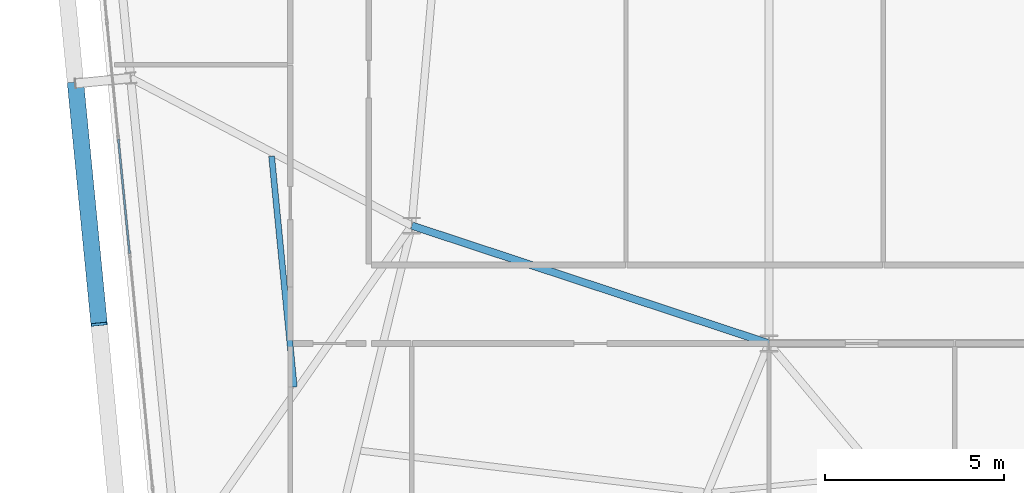
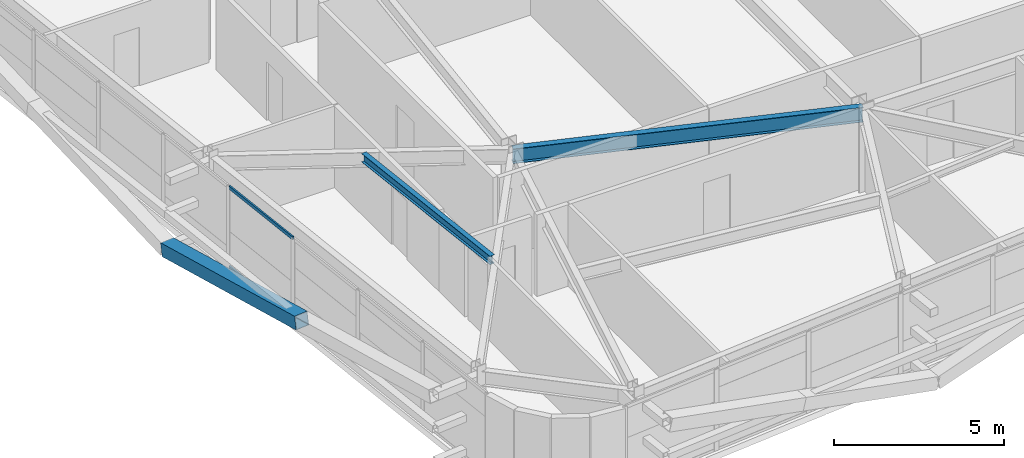
# One storey, part 9 of 52: 3 members, 2 beams, 1 element without a shape of its own.
"""IFC4 building model written with IfcOpenShell, lengths in metres."""

import ifcopenshell
import ifcopenshell.guid

model = None  # the IFC model being written
_history = None  # IfcOwnerHistory: only IFC2X3 demands one
_inside = {}  # id of a spatial element -> (the spatial element, [elements in it])
_under = {}  # id of a project, library or spatial element -> (it, [spatial elements below it])
_declared = {}  # id of a project -> (the project, [libraries it declares])
_typed = {}  # id of a type object -> (the type object, [elements of that type])
_made_of = {}  # id of a material, layer set ... -> (it, [elements and type objects made of it])


def new_model(schema):
    """Start an empty IFC model of exactly this schema.

    Asked for "IFC4X3", IfcOpenShell would pick the latest addendum, in which some entities
    have other attributes; the version numbers below select the first issue.
    IFC2X3 requires an IfcOwnerHistory on every rooted entity: one is made here for all.
    """
    global model, _history
    if schema == "IFC4X3":
        model = ifcopenshell.file(schema_version=(4, 3, 0, 0))
    else:
        model = ifcopenshell.file(schema=schema)
    _inside.clear()
    _under.clear()
    _declared.clear()
    _typed.clear()
    _made_of.clear()
    _history = None
    if model.schema == "IFC2X3":
        org = make("IfcOrganization", Name="unknown")
        user = make(
            "IfcPersonAndOrganization",
            ThePerson=make("IfcPerson", FamilyName="unknown"),
            TheOrganization=org,
        )
        app = make(
            "IfcApplication",
            ApplicationDeveloper=org,
            Version="unknown",
            ApplicationFullName="unknown",
            ApplicationIdentifier="unknown",
        )
        _history = make(
            "IfcOwnerHistory",
            OwningUser=user,
            OwningApplication=app,
            ChangeAction="ADDED",
            CreationDate=0,
        )
    return model


def make(cls, **values):
    """One entity of the class cls with the attributes given. An attribute that is None is left unset."""
    return model.create_entity(
        cls, **{name: value for name, value in values.items() if value is not None}
    )


def rooted(cls, **values):
    """An entity with a GlobalId (a new one), such as an element, a storey or a relation."""
    return make(cls, GlobalId=ifcopenshell.guid.new(), OwnerHistory=_history, **values)


def si_unit(unit_type, name, prefix=None):
    """IfcSIUnit, for example si_unit("LENGTHUNIT", "METRE", prefix="MILLI")."""
    return make("IfcSIUnit", UnitType=unit_type, Prefix=prefix, Name=name)


def assignment(units):
    """IfcUnitAssignment: the units of a project."""
    return None if units is None else make("IfcUnitAssignment", Units=units)


def point(xyz):
    """IfcCartesianPoint."""
    return None if xyz is None else make("IfcCartesianPoint", Coordinates=xyz)


def direction(xyz):
    """IfcDirection."""
    return None if xyz is None else make("IfcDirection", DirectionRatios=xyz)


def frame(location, z_axis=None, x_axis=None):
    """IfcAxis2Placement3D, a coordinate frame: its origin and axes. An axis left out is left unset."""
    return make(
        "IfcAxis2Placement3D",
        Location=point(location),
        Axis=direction(z_axis),
        RefDirection=direction(x_axis),
    )


def frame_2d(location, x_axis=None):
    """IfcAxis2Placement2D, a coordinate frame in the plane: its origin and x axis."""
    return make(
        "IfcAxis2Placement2D", Location=point(location), RefDirection=direction(x_axis)
    )


def origin():
    """The frame at (0, 0, 0) with its axes left unset."""
    return frame((0.0, 0.0, 0.0))


def origin_2d():
    """The frame at (0, 0) in the plane with its x axis left unset."""
    return frame_2d((0.0, 0.0))


def place(relative_to, where):
    """IfcLocalPlacement: puts the frame where relative to a parent placement (None: the world)."""
    return make(
        "IfcLocalPlacement", PlacementRelTo=relative_to, RelativePlacement=where
    )


def context(
    kind, dimensions, precision=None, world=None, true_north=None, identifier=None
):
    """IfcGeometricRepresentationContext, for example the 3D "Model" context."""
    return make(
        "IfcGeometricRepresentationContext",
        ContextIdentifier=identifier,
        ContextType=kind,
        CoordinateSpaceDimension=dimensions,
        Precision=precision,
        WorldCoordinateSystem=world,
        TrueNorth=true_north,
    )


def subcontext(parent, identifier, kind, view, scale=None):
    """IfcGeometricRepresentationSubContext, for example "Body" below "Model"."""
    return make(
        "IfcGeometricRepresentationSubContext",
        ContextIdentifier=identifier,
        ContextType=kind,
        ParentContext=parent,
        TargetScale=scale,
        TargetView=view,
    )


def project(units=None, contexts=None):
    """IfcProject with its units and contexts."""
    return rooted(
        "IfcProject",
        Name="project",
        RepresentationContexts=contexts,
        UnitsInContext=assignment(units),
    )


def spatial(cls, under=None, at=None, **own):
    """A site, building, storey or space (cls), placed at a placement, below another one or the project."""
    s = rooted(cls, ObjectPlacement=at, **own)
    if under is not None:
        _under.setdefault(under.id(), (under, []))[1].append(s)
    return s


def profile(cls, at=None, kind="AREA", **sizes):
    """A parametric profile (cls). Its sizes go by their IFC names, for example OverallWidth=200.0."""
    return make(cls, ProfileType=kind, Position=at, **sizes)


def hollow_rectangle(**sizes):
    """IfcRectangleHollowProfileDef."""
    return profile("IfcRectangleHollowProfileDef", **sizes)


def i_section(**sizes):
    """IfcIShapeProfileDef."""
    return profile("IfcIShapeProfileDef", **sizes)


def extrude(swept, where, along, depth):
    """IfcExtrudedAreaSolid: the profile swept, set in the frame where, extruded along a direction by depth."""
    return make(
        "IfcExtrudedAreaSolid",
        SweptArea=swept,
        Position=where,
        ExtrudedDirection=direction(along),
        Depth=depth,
    )


def shape(context_of_items, identifier, shape_type, items):
    """IfcShapeRepresentation: the items that make up one representation, for example the "Body"."""
    return make(
        "IfcShapeRepresentation",
        ContextOfItems=context_of_items,
        RepresentationIdentifier=identifier,
        RepresentationType=shape_type,
        Items=items,
    )


def source(mapping_origin, context_of_items, identifier, shape_type, items):
    """IfcRepresentationMap: a shape defined once, which mapped items show again and again."""
    return make(
        "IfcRepresentationMap",
        MappingOrigin=mapping_origin,
        MappedRepresentation=shape(context_of_items, identifier, shape_type, items),
    )


def transform(
    local_origin,
    x_axis=None,
    y_axis=None,
    z_axis=None,
    scale=None,
    scale2=None,
    scale3=None,
    uniform=True,
):
    """IfcCartesianTransformationOperator3D, or its non-uniform kind. x_axis, y_axis, z_axis: its Axis1, 2, 3."""
    if uniform:
        return make(
            "IfcCartesianTransformationOperator3D",
            Axis1=direction(x_axis),
            Axis2=direction(y_axis),
            LocalOrigin=point(local_origin),
            Scale=scale,
            Axis3=direction(z_axis),
        )
    return make(
        "IfcCartesianTransformationOperator3DnonUniform",
        Axis1=direction(x_axis),
        Axis2=direction(y_axis),
        LocalOrigin=point(local_origin),
        Scale=scale,
        Axis3=direction(z_axis),
        Scale2=scale2,
        Scale3=scale3,
    )


def mapped(mapping_source, mapping_target):
    """IfcMappedItem: shows the shape of a source again, moved by a transform."""
    return make(
        "IfcMappedItem", MappingSource=mapping_source, MappingTarget=mapping_target
    )


def material(Name=None, Category=None):
    """IfcMaterial."""
    return make("IfcMaterial", Name=Name, Category=Category)


def layer(
    of_material, thickness, ventilated=None, Name=None, Category=None, Priority=None
):
    """IfcMaterialLayer: one layer of a wall or slab, of a material (None: an air gap)."""
    return make(
        "IfcMaterialLayer",
        Material=of_material,
        LayerThickness=thickness,
        IsVentilated=ventilated,
        Name=Name,
        Category=Category,
        Priority=Priority,
    )


def layer_set(layers, Name=None):
    """IfcMaterialLayerSet."""
    return make("IfcMaterialLayerSet", MaterialLayers=layers, LayerSetName=Name)


def material_profile(
    of_material, cross_section, Name=None, Category=None, Priority=None
):
    """IfcMaterialProfile: a cross section and its material."""
    return make(
        "IfcMaterialProfile",
        Name=Name,
        Material=of_material,
        Profile=cross_section,
        Priority=Priority,
        Category=Category,
    )


def profile_set(profiles, Name=None, composite=None):
    """IfcMaterialProfileSet."""
    return make(
        "IfcMaterialProfileSet",
        Name=Name,
        MaterialProfiles=profiles,
        CompositeProfile=composite,
    )


def made_of(thing, what):
    """Note that an element or type object is made of a material, layer set ...; save() writes the relation."""
    if what is not None:
        _made_of.setdefault(what.id(), (what, []))[1].append(thing)
    return thing


def type_object(cls, material=None, **own):
    """A type object (cls), such as IfcWallType, which elements share."""
    return made_of(rooted(cls, **own), material)


def element(
    cls,
    number,
    at=None,
    inside=None,
    cuts=None,
    type_object=None,
    material=None,
    context=None,
    identifier="Body",
    shape_type=None,
    held_by="IfcProductDefinitionShape",
    body=None,
    shapes=None,
    **own,
):
    """One element of the class cls, such as IfcWall. Its Tag is "e" and its number.

    at: its placement. inside: the storey or other place that contains it. cuts: it is an
    opening in that element (IfcRelVoidsElement). A single representation is given by context,
    identifier, shape_type and body (its items); several are given by shapes. held_by: the class
    of the entity that holds the representations. save() writes the other relations.
    """
    e = rooted(cls, Tag="e%d" % number, ObjectPlacement=at, **own)
    if body is not None:
        shapes = [shape(context, identifier, shape_type, body)]
    if shapes is not None:
        e.Representation = make(held_by, Representations=shapes)
    if inside is not None:
        _inside.setdefault(inside.id(), (inside, []))[1].append(e)
    if cuts is not None:
        rooted(
            "IfcRelVoidsElement", RelatingBuildingElement=cuts, RelatedOpeningElement=e
        )
    if type_object is not None:
        _typed.setdefault(type_object.id(), (type_object, []))[1].append(e)
    return made_of(e, material)


def aggregate(whole, parts):
    """IfcRelAggregates: a whole, such as a stair, and the parts it consists of."""
    return rooted("IfcRelAggregates", RelatingObject=whole, RelatedObjects=parts)


def save(model, path):
    """Write the relations noted so far, then the file.

    IfcRelAggregates (storeys below a building ...), IfcRelContainedInSpatialStructure (elements
    in a storey), IfcRelDefinesByType, IfcRelAssociatesMaterial and IfcRelDeclares: one each for
    every whole, place, type object, material and project.
    """
    for whole, parts in _under.values():
        aggregate(whole, parts)
    for where, things in _inside.values():
        rooted(
            "IfcRelContainedInSpatialStructure",
            RelatedElements=things,
            RelatingStructure=where,
        )
    for kind, things in _typed.values():
        rooted("IfcRelDefinesByType", RelatedObjects=things, RelatingType=kind)
    for what, things in _made_of.values():
        rooted("IfcRelAssociatesMaterial", RelatedObjects=things, RelatingMaterial=what)
    for by, libraries in _declared.values():
        rooted("IfcRelDeclares", RelatingContext=by, RelatedDefinitions=libraries)
    model.write(path)


model = new_model("IFC4")

# Units and contexts
model_context = context("Model", 3, precision=1e-05, world=origin(), true_north=direction((0.0, 1.0)))
body_context = subcontext(model_context, "Body", "Model", "MODEL_VIEW")
ifc_project = project(units=[si_unit("LENGTHUNIT", "METRE"), si_unit("AREAUNIT", "SQUARE_METRE"), si_unit("VOLUMEUNIT", "CUBIC_METRE"), si_unit("PLANEANGLEUNIT", "RADIAN"), si_unit("MASSUNIT", "GRAM", prefix="KILO")], contexts=[model_context])

# Site, building, storey
site_placement = place(None, origin())
site = spatial("IfcSite", under=ifc_project, at=site_placement, CompositionType="ELEMENT")
building_placement = place(site_placement, origin())
building = spatial("IfcBuilding", under=site, at=building_placement, Name="Taldren Reach Tower", CompositionType="ELEMENT")
storey_placement = place(building_placement, frame((0.0, 0.0, 96.60009765625)))
storey = spatial("IfcBuildingStorey", under=building, at=storey_placement, Name="L29", CompositionType="ELEMENT", Elevation=96.60009765625)

# Beams
ifc_material_1 = material(Name="Steel Gr 350 (350PLUS)", Category="steel")
ifc_material_profile_1 = material_profile(ifc_material_1, i_section(OverallWidth=0.208984375, OverallDepth=0.532958984375, WebThickness=0.01025390625, FlangeThickness=0.015625, at=origin_2d()), Name="530UB92.4")
ifc_profile_set_1 = profile_set([ifc_material_profile_1], Name="Steel Gr 350 (350PLUS)")
beam_type_1 = type_object("IfcBeamType", Name="BM-UB530A", PredefinedType="BEAM", material=ifc_profile_set_1)
shared_shape_1 = source(origin(), body_context, "Body", "SweptSolid", [
    extrude(i_section(OverallWidth=0.208984375, OverallDepth=0.532958984375, WebThickness=0.01025390625, FlangeThickness=0.015625, at=origin_2d()), origin(), (0.0, 0.0, 1.0), 10.530517578125),
])
beam_1_placement = place(storey_placement, frame((18.0, 12.5, 2.663330078125), z_axis=(0.949627269203, -0.313381635689, 0.0), x_axis=(0.313381635689, 0.949627269203, 0.0)))
element("IfcBeam", 1, at=beam_1_placement, inside=storey, type_object=beam_type_1, Name="Core-spine girder L29-SP10", PredefinedType="BEAM", context=body_context, shape_type="MappedRepresentation", body=[
    mapped(shared_shape_1, transform((0.0, 0.0, 0.0), scale=1.0)),
])
ifc_material_2 = material(Name="Steel Gr 300 (300PLUS, 300 MPa)", Category="steel")
ifc_material_profile_2 = material_profile(ifc_material_2, i_section(OverallWidth=0.166015625, OverallDepth=0.306884765625, WebThickness=0.006591796875, FlangeThickness=0.01171875, at=origin_2d()), Name="310UB46.2")
ifc_profile_set_2 = profile_set([ifc_material_profile_2], Name="Steel Gr 300 (300PLUS, 300 MPa)")
beam_type_2 = type_object("IfcBeamType", Name="JS-UB310", PredefinedType="JOIST", material=ifc_profile_set_2)
shared_shape_2 = source(origin(), body_context, "Body", "SweptSolid", [
    extrude(i_section(OverallWidth=0.166015625, OverallDepth=0.306884765625, WebThickness=0.006591796875, FlangeThickness=0.01171875, at=origin_2d()), origin(), (0.0, 0.0, 1.0), 6.489501953125),
])
beam_2_placement = place(storey_placement, frame((14.710693359375, 7.982666015625, 2.7763671875), z_axis=(-0.097588959486, 0.995226805802, 0.0), x_axis=(-0.995226805802, -0.097588959486, 0.0)))
element("IfcBeam", 2, at=beam_2_placement, inside=storey, type_object=beam_type_2, Name="Secondary floor joist B2 J6 L29", PredefinedType="JOIST", context=body_context, shape_type="MappedRepresentation", body=[
    mapped(shared_shape_2, transform((0.0, 0.0, 0.0), scale=1.0)),
])

# Member
ifc_material_3 = material(Name="Steel Gr 450 (C450L0)", Category="steel")
ifc_material_profile_3 = material_profile(ifc_material_3, hollow_rectangle(XDim=0.4599609375, YDim=0.4599609375, WallThickness=0.01611328125, at=origin_2d()), Name="460x460x16.0SHS")
ifc_profile_set_3 = profile_set([ifc_material_profile_3], Name="Steel Gr 450 (C450L0)")
member_type_1 = type_object("IfcMemberType", Name="MB-EXO457", PredefinedType="BRACE", material=ifc_profile_set_3)
shared_shape_3 = source(origin(), body_context, "Body", "SweptSolid", [
    extrude(hollow_rectangle(XDim=0.4599609375, YDim=0.4599609375, WallThickness=0.01611328125, at=origin_2d()), origin(), (0.0, 0.0, 1.0), 6.8828125),
])
member_1_placement = place(storey_placement, frame((8.587890625, 16.479736328125, 0.219970703125), z_axis=(0.096055397146, -0.979601884409, 0.176503565804), x_axis=(0.995226946838, 0.097587521166, 0.0)))
element("IfcMember", 3, at=member_1_placement, inside=storey, type_object=member_type_1, Name="Exoskeleton Diagrid Brace B2-W1 L29", PredefinedType="BRACE", context=body_context, shape_type="MappedRepresentation", body=[
    mapped(shared_shape_3, transform((0.0, 0.0, 0.0), scale=1.0)),
])

# Curtain wall, members
ifc_material_4 = material(Name="Aluminium and Low-E Glass Unitised System", Category="aluminium")
ifc_layer = layer(ifc_material_4, 0.159912109375)
ifc_layer_set = layer_set([ifc_layer], Name="Aluminium and Low-E Glass Unitised System")
curtain_wall_type = type_object("IfcCurtainWallType", Name="CW-SYS-3", PredefinedType="NOTDEFINED", material=ifc_layer_set)
curtain_wall_placement = place(storey_placement, origin())
curtain_wall = element("IfcCurtainWall", 4, at=curtain_wall_placement, inside=storey, type_object=curtain_wall_type, Name="Unitised curtain wall CW-L29-W", PredefinedType="NOTDEFINED")
ifc_material_5 = material(Name="Anodised Aluminium 6063-T6", Category="aluminium")
ifc_material_profile_4 = material_profile(ifc_material_5, hollow_rectangle(XDim=0.054931640625, YDim=0.1201171875, WallThickness=0.0029296875, at=origin_2d()), Name="ALU-120x55x3RHS")
ifc_profile_set_4 = profile_set([ifc_material_profile_4], Name="Anodised Aluminium 6063-T6")
member_type_2 = type_object("IfcMemberType", Name="CW-TRN-135", PredefinedType="USERDEFINED", material=ifc_profile_set_4)
shared_shape_4 = source(origin(), body_context, "Body", "SweptSolid", [
    extrude(hollow_rectangle(XDim=0.054931640625, YDim=0.1201171875, WallThickness=0.0029296875, at=origin_2d()), origin(), (0.0, 0.0, 1.0), 3.212890625),
])
member_2_placement = place(storey_placement, frame((9.7861328125, 14.91796875, 0.02734375), z_axis=(0.097569948235, -0.995228669805, 0.0), x_axis=(0.995228669805, 0.097569948235, 0.0)))
member_2 = element("IfcMember", 5, at=member_2_placement, type_object=member_type_2, Name="CW-3 transom 6.1", ObjectType="TRANSOM", PredefinedType="USERDEFINED", context=body_context, shape_type="MappedRepresentation", body=[
    mapped(shared_shape_4, transform((0.0, 0.0, 0.0), scale=1.0)),
])
member_3_placement = place(storey_placement, frame((9.7861328125, 14.91796875, 2.90234375), z_axis=(0.097569948235, -0.995228669805, 0.0), x_axis=(0.995228669805, 0.097569948235, 0.0)))
member_3 = element("IfcMember", 6, at=member_3_placement, type_object=member_type_2, Name="CW-3 transom 6.2", ObjectType="TRANSOM", PredefinedType="USERDEFINED", context=body_context, shape_type="MappedRepresentation", body=[
    mapped(shared_shape_4, transform((0.0, 0.0, 0.0), scale=1.0)),
])
aggregate(curtain_wall, [member_2, member_3])

save(model, "model.ifc")
